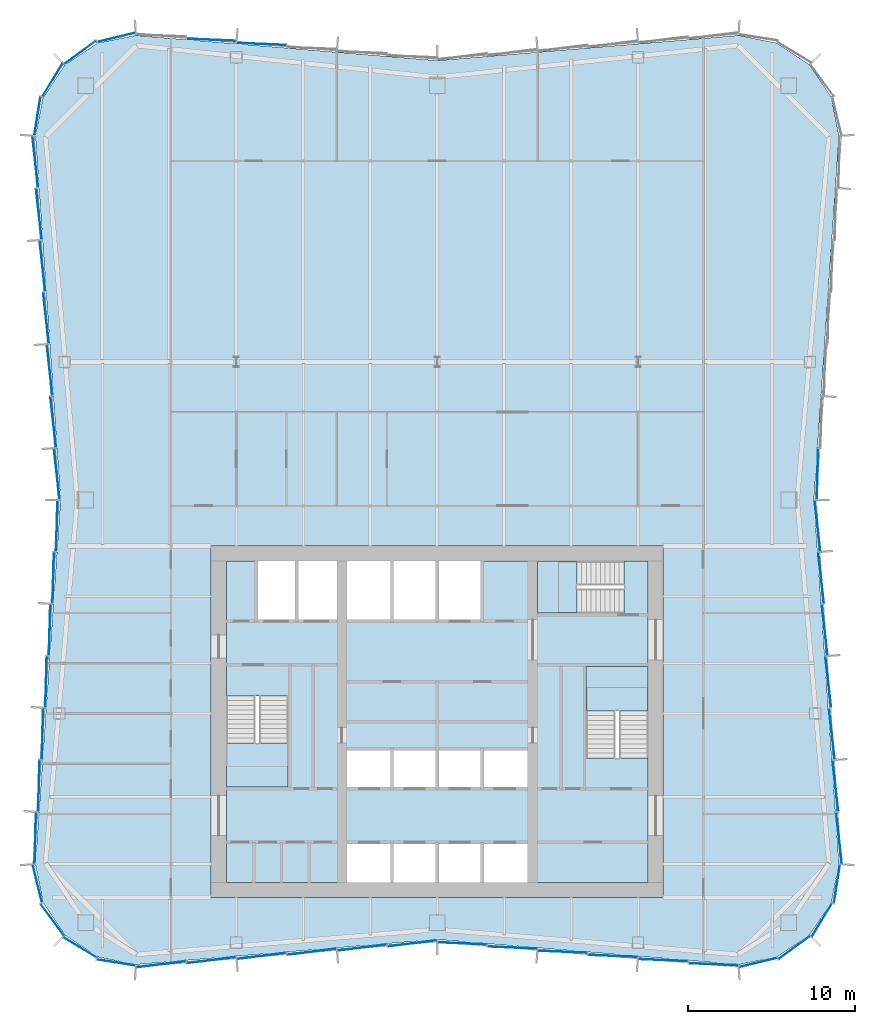
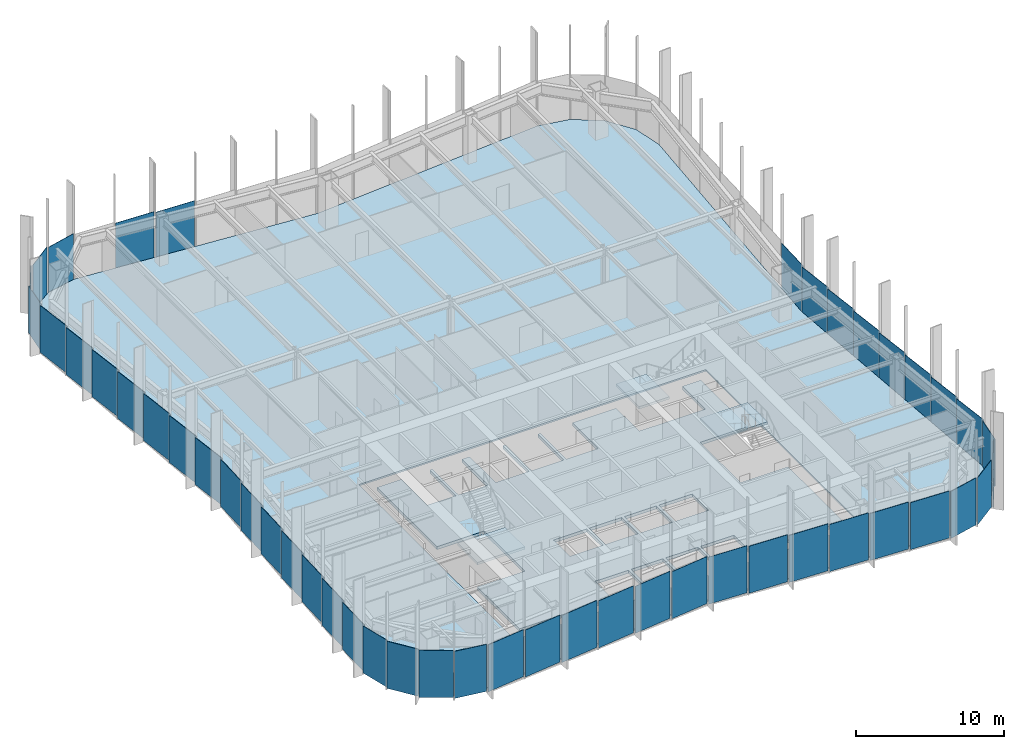
# One storey, part 8 of 13: 48 plates, 5 slabs, 10 elements without a shape of their own.
"""IFC4 building model written with IfcOpenShell, lengths in metres."""

from ifc_helpers import new_model, si_unit, direction, frame, origin, origin_2d, place, context, subcontext, project, spatial, polyline, rectangle, outline, extrude, material, layer, layer_set, type_object, element, aggregate, save


model = new_model("IFC4")

# Units and contexts
model_context = context("Model", 3, precision=1e-05, world=origin(), true_north=direction((0.0, 1.0)))
body_context = subcontext(model_context, "Body", "Model", "MODEL_VIEW")
ifc_project = project(units=[si_unit("LENGTHUNIT", "METRE"), si_unit("AREAUNIT", "SQUARE_METRE"), si_unit("VOLUMEUNIT", "CUBIC_METRE"), si_unit("PLANEANGLEUNIT", "RADIAN"), si_unit("MASSUNIT", "GRAM", prefix="KILO")], contexts=[model_context])

# Site, building, storey
site_placement = place(None, origin())
site = spatial("IfcSite", under=ifc_project, at=site_placement, CompositionType="ELEMENT")
building_placement = place(site_placement, origin())
building = spatial("IfcBuilding", under=site, at=building_placement, Name="Verdant Reach Tower", CompositionType="ELEMENT")
storey_placement = place(building_placement, frame((0.0, 0.0, 218.0)))
storey = spatial("IfcBuildingStorey", under=building, at=storey_placement, Name="L50", CompositionType="ELEMENT", Elevation=218.0)

# Stair, slab
ifc_material_1 = material(Name="Concrete C40/50", Category="concrete")
stair_type = type_object("IfcStairType", Name="CO-STAIR", PredefinedType="HALF_TURN_STAIR", material=ifc_material_1)
stair_1_placement = place(storey_placement, origin())
stair_1 = element("IfcStair", 1, at=stair_1_placement, inside=storey, type_object=stair_type, Name="L50 Exit stair 1", PredefinedType="HALF_TURN_STAIR")
ifc_layer_1 = layer(ifc_material_1, 0.199951171875)
ifc_layer_set_1 = layer_set([ifc_layer_1], Name="CO-STAIR-LANDING")
slab_type_1 = type_object("IfcSlabType", Name="CO-STAIR-LANDING", PredefinedType="LANDING", material=ifc_layer_set_1)
slab_1_placement = place(storey_placement, frame((0.0, 0.0, 1.800048828125)))
slab_1 = element("IfcSlab", 2, at=slab_1_placement, type_object=slab_type_1, Name="ST-1 landing 1", PredefinedType="LANDING", context=body_context, shape_type="SweptSolid", body=[
    extrude(outline(polyline([(-12.60009765625, 26.75), (-12.60009765625, 24.10009765625), (-8.89990234375, 24.10009765625), (-8.89990234375, 26.75), (-12.60009765625, 26.75)])), origin(), (0.0, 0.0, 1.0), 0.199951171875),
])
aggregate(stair_1, [slab_1])

stair_2_placement = place(storey_placement, origin())
stair_2 = element("IfcStair", 3, at=stair_2_placement, inside=storey, type_object=stair_type, Name="L50 Exit stair 2", PredefinedType="HALF_TURN_STAIR")
slab_2_placement = place(storey_placement, frame((0.0, 0.0, 1.800048828125)))
slab_2 = element("IfcSlab", 4, at=slab_2_placement, type_object=slab_type_1, Name="ST-2 landing 1", PredefinedType="LANDING", context=body_context, shape_type="SweptSolid", body=[
    extrude(outline(polyline([(12.60009765625, 28.64990234375), (12.60009765625, 31.300048828125), (8.89990234375, 31.300048828125), (8.89990234375, 28.64990234375), (12.60009765625, 28.64990234375)])), origin(), (0.0, 0.0, 1.0), 0.199951171875),
])
aggregate(stair_2, [slab_2])

stair_3_placement = place(storey_placement, origin())
stair_3 = element("IfcStair", 5, at=stair_3_placement, inside=storey, type_object=stair_type, Name="L50 Exit stair 3", PredefinedType="HALF_TURN_STAIR")
slab_3_placement = place(storey_placement, frame((0.0, 0.0, 1.800048828125)))
slab_3 = element("IfcSlab", 6, at=slab_3_placement, type_object=slab_type_1, Name="ST-3 landing 1", PredefinedType="LANDING", context=body_context, shape_type="SweptSolid", body=[
    extrude(outline(polyline([(8.35009765625, 37.60009765625), (6.0, 37.60009765625), (6.0, 34.5), (8.35009765625, 34.5), (8.35009765625, 37.60009765625)])), origin(), (0.0, 0.0, 1.0), 0.199951171875),
])
aggregate(stair_3, [slab_3])

# Curtain wall, plates
ifc_material_2 = material(Name="Anodised aluminium", Category="aluminium")
curtain_wall_type = type_object("IfcCurtainWallType", Name="EN-CW SYSTEM Z3", PredefinedType="NOTDEFINED", material=ifc_material_2)
curtain_wall_1_placement = place(storey_placement, origin())
curtain_wall_1 = element("IfcCurtainWall", 7, at=curtain_wall_1_placement, inside=storey, type_object=curtain_wall_type, Name="Curtain wall east, L50", PredefinedType="NOTDEFINED")
ifc_material_3 = material(Name="Tinted glass with champagne spandrel", Category="glass")
ifc_layer_2 = layer(ifc_material_3, 0.031982421875)
ifc_layer_set_2 = layer_set([ifc_layer_2], Name="EN-PANEL CHAMPAGNE")
plate_type_1 = type_object("IfcPlateType", Name="EN-PANEL CHAMPAGNE", PredefinedType="CURTAIN_PANEL", material=ifc_layer_set_2)
plate_1_placement = place(storey_placement, frame((23.14453125, 33.48974609375, -0.22412109375), z_axis=(0.0, 0.0, 1.0), x_axis=(-0.110518162674, 0.993874104562, 0.0)))
plate_1 = element("IfcPlate", 8, at=plate_1_placement, type_object=plate_type_1, Name="Glass panel east face part 1 5.1, L50", PredefinedType="CURTAIN_PANEL", context=body_context, shape_type="SweptSolid", body=[
    extrude(rectangle(XDim=3.052490234375, YDim=0.031982421875, at=origin_2d()), origin(), (0.0, 0.0, 1.0), 3.8740234375),
])
plate_2_placement = place(storey_placement, frame((22.93017578125, 36.5966796875, -0.22412109375), z_axis=(0.0, 0.0, 1.0), x_axis=(-0.110518162674, 0.993874104562, 0.0)))
plate_2 = element("IfcPlate", 9, at=plate_2_placement, type_object=plate_type_1, Name="Glass panel east face part 1 6.1, L50", PredefinedType="CURTAIN_PANEL", context=body_context, shape_type="SweptSolid", body=[
    extrude(rectangle(XDim=3.052490234375, YDim=0.031982421875, at=origin_2d()), origin(), (0.0, 0.0, 1.0), 3.8740234375),
])

curtain_wall_2_placement = place(storey_placement, origin())
curtain_wall_2 = element("IfcCurtainWall", 10, at=curtain_wall_2_placement, inside=storey, type_object=curtain_wall_type, Name="Curtain wall north, L50", PredefinedType="NOTDEFINED")
plate_3_placement = place(storey_placement, frame((-10.490966796875, 68.483642578125, -0.22412109375), z_axis=(0.0, 0.0, 1.0), x_axis=(-0.999149202059, 0.041241629766, 0.0)))
plate_3 = element("IfcPlate", 11, at=plate_3_placement, type_object=plate_type_1, Name="Glass panel north face part 2 4.1, L50", PredefinedType="CURTAIN_PANEL", context=body_context, shape_type="SweptSolid", body=[
    extrude(rectangle(XDim=2.948486328125, YDim=0.031982421875, at=origin_2d()), origin(), (0.0, 0.0, 1.0), 3.8740234375),
])
plate_4_placement = place(storey_placement, frame((-13.490966796875, 68.733642578125, -0.22412109375), z_axis=(0.0, 0.0, 1.0), x_axis=(-0.999149202059, 0.041241629766, 0.0)))
plate_4 = element("IfcPlate", 12, at=plate_4_placement, type_object=plate_type_1, Name="Glass panel north face part 2 5.1, L50", PredefinedType="CURTAIN_PANEL", context=body_context, shape_type="SweptSolid", body=[
    extrude(rectangle(XDim=2.948486328125, YDim=0.031982421875, at=origin_2d()), origin(), (0.0, 0.0, 1.0), 3.8740234375),
])
aggregate(curtain_wall_2, [plate_3, plate_4])

curtain_wall_3_placement = place(storey_placement, origin())
curtain_wall_3 = element("IfcCurtainWall", 13, at=curtain_wall_3_placement, inside=storey, type_object=curtain_wall_type, Name="Curtain wall north-west corner, L50", PredefinedType="NOTDEFINED")
plate_5_placement = place(storey_placement, frame((-22.98193359375, 66.328857421875, -0.22412109375), z_axis=(0.0, 0.0, 1.0), x_axis=(-0.520291550457, -0.853988701636, 0.0)))
plate_5 = element("IfcPlate", 14, at=plate_5_placement, type_object=plate_type_1, Name="Glass panel north-west corner 3.1, L50", PredefinedType="CURTAIN_PANEL", context=body_context, shape_type="SweptSolid", body=[
    extrude(rectangle(XDim=2.321533203125, YDim=0.031982421875, at=origin_2d()), origin(), (0.0, 0.0, 1.0), 3.8740234375),
])
plate_6_placement = place(storey_placement, frame((-23.87646484375, 64.17236328125, -0.22412109375), z_axis=(0.0, 0.0, 1.0), x_axis=(-0.154311870796, -0.988022189291, 0.0)))
plate_6 = element("IfcPlate", 15, at=plate_6_placement, type_object=plate_type_1, Name="Glass panel north-west corner 4.1, L50", PredefinedType="CURTAIN_PANEL", context=body_context, shape_type="SweptSolid", body=[
    extrude(rectangle(XDim=2.314697265625, YDim=0.031982421875, at=origin_2d()), origin(), (0.0, 0.0, 1.0), 3.8740234375),
])

curtain_wall_4_placement = place(storey_placement, origin())
curtain_wall_4 = element("IfcCurtainWall", 16, at=curtain_wall_4_placement, inside=storey, type_object=curtain_wall_type, Name="Curtain wall west, L50", PredefinedType="NOTDEFINED")
plate_7_placement = place(storey_placement, frame((-24.001708984375, 61.446044921875, -0.22412109375), z_axis=(0.0, 0.0, 1.0), x_axis=(0.110214229533, -0.993907854687, 0.0)))
plate_7 = element("IfcPlate", 17, at=plate_7_placement, type_object=plate_type_1, Name="Glass panel west face part 1 1.1, L50", PredefinedType="CURTAIN_PANEL", context=body_context, shape_type="SweptSolid", body=[
    extrude(rectangle(XDim=3.06689453125, YDim=0.031982421875, at=origin_2d()), origin(), (0.0, 0.0, 1.0), 3.8740234375),
])
plate_8_placement = place(storey_placement, frame((-23.787353515625, 58.331787109375, -0.22412109375), z_axis=(0.0, 0.0, 1.0), x_axis=(0.110518162674, -0.993874104562, 0.0)))
plate_8 = element("IfcPlate", 18, at=plate_8_placement, type_object=plate_type_1, Name="Glass panel west face part 1 2.1, L50", PredefinedType="CURTAIN_PANEL", context=body_context, shape_type="SweptSolid", body=[
    extrude(rectangle(XDim=3.052490234375, YDim=0.031982421875, at=origin_2d()), origin(), (0.0, 0.0, 1.0), 3.8740234375),
])
plate_9_placement = place(storey_placement, frame((-23.572998046875, 55.224609375, -0.22412109375), z_axis=(0.0, 0.0, 1.0), x_axis=(0.110518162674, -0.993874104562, 0.0)))
plate_9 = element("IfcPlate", 19, at=plate_9_placement, type_object=plate_type_1, Name="Glass panel west face part 1 3.1, L50", PredefinedType="CURTAIN_PANEL", context=body_context, shape_type="SweptSolid", body=[
    extrude(rectangle(XDim=3.052490234375, YDim=0.031982421875, at=origin_2d()), origin(), (0.0, 0.0, 1.0), 3.8740234375),
])
plate_10_placement = place(storey_placement, frame((-23.14453125, 33.48974609375, -0.22412109375), z_axis=(0.0, 0.0, 1.0), x_axis=(-0.026965318308, -0.999636369691, 0.0)))
plate_10 = element("IfcPlate", 20, at=plate_10_placement, type_object=plate_type_1, Name="Glass panel west face part 2 3.1, L50", PredefinedType="CURTAIN_PANEL", context=body_context, shape_type="SweptSolid", body=[
    extrude(rectangle(XDim=3.052490234375, YDim=0.031982421875, at=origin_2d()), origin(), (0.0, 0.0, 1.0), 3.8740234375),
])
plate_11_placement = place(storey_placement, frame((-23.358642578125, 30.382568359375, -0.22412109375), z_axis=(0.0, 0.0, 1.0), x_axis=(-0.026965318308, -0.999636369691, 0.0)))
plate_11 = element("IfcPlate", 21, at=plate_11_placement, type_object=plate_type_1, Name="Glass panel west face part 2 4.1, L50", PredefinedType="CURTAIN_PANEL", context=body_context, shape_type="SweptSolid", body=[
    extrude(rectangle(XDim=3.052490234375, YDim=0.031982421875, at=origin_2d()), origin(), (0.0, 0.0, 1.0), 3.8740234375),
])

curtain_wall_5_placement = place(storey_placement, origin())
curtain_wall_5 = element("IfcCurtainWall", 22, at=curtain_wall_5_placement, inside=storey, type_object=curtain_wall_type, Name="Curtain wall south-west corner, L50", PredefinedType="NOTDEFINED")
plate_12_placement = place(storey_placement, frame((-23.87646484375, 18.32763671875, -0.22412109375), z_axis=(0.0, 0.0, 1.0), x_axis=(0.23644624331, -0.97164457186, 0.0)))
plate_12 = element("IfcPlate", 23, at=plate_12_placement, type_object=plate_type_1, Name="Glass panel south-west corner 1.1, L50", PredefinedType="CURTAIN_PANEL", context=body_context, shape_type="SweptSolid", body=[
    extrude(rectangle(XDim=2.314697265625, YDim=0.031982421875, at=origin_2d()), origin(), (0.0, 0.0, 1.0), 3.8740234375),
])
plate_13_placement = place(storey_placement, frame((-22.98193359375, 16.171142578125, -0.22412109375), z_axis=(0.0, 0.0, 1.0), x_axis=(0.589926747542, -0.807456768214, 0.0)))
plate_13 = element("IfcPlate", 24, at=plate_13_placement, type_object=plate_type_1, Name="Glass panel south-west corner 2.1, L50", PredefinedType="CURTAIN_PANEL", context=body_context, shape_type="SweptSolid", body=[
    extrude(rectangle(XDim=2.321533203125, YDim=0.031982421875, at=origin_2d()), origin(), (0.0, 0.0, 1.0), 3.8740234375),
])
plate_14_placement = place(storey_placement, frame((-21.328857421875, 14.51806640625, -0.22412109375), z_axis=(0.0, 0.0, 1.0), x_axis=(0.853988701636, -0.520291550457, 0.0)))
plate_14 = element("IfcPlate", 25, at=plate_14_placement, type_object=plate_type_1, Name="Glass panel south-west corner 3.1, L50", PredefinedType="CURTAIN_PANEL", context=body_context, shape_type="SweptSolid", body=[
    extrude(rectangle(XDim=2.321533203125, YDim=0.031982421875, at=origin_2d()), origin(), (0.0, 0.0, 1.0), 3.8740234375),
])

curtain_wall_6_placement = place(storey_placement, origin())
curtain_wall_6 = element("IfcCurtainWall", 26, at=curtain_wall_6_placement, inside=storey, type_object=curtain_wall_type, Name="Curtain wall south, L50", PredefinedType="NOTDEFINED")
plate_15_placement = place(storey_placement, frame((-1.495361328125, 14.76611328125, -0.22412109375), z_axis=(0.0, 0.0, 1.0), x_axis=(0.992178382939, 0.124828107529, 0.0)))
plate_15 = element("IfcPlate", 27, at=plate_15_placement, type_object=plate_type_1, Name="Glass panel south face part 1 6.1, L50", PredefinedType="CURTAIN_PANEL", context=body_context, shape_type="SweptSolid", body=[
    extrude(rectangle(XDim=2.939453125, YDim=0.031982421875, at=origin_2d()), origin(), (0.0, 0.0, 1.0), 3.8740234375),
])
plate_16_placement = place(storey_placement, frame((1.495361328125, 14.76611328125, -0.22412109375), z_axis=(0.0, 0.0, 1.0), x_axis=(0.999144020525, -0.041366970501, 0.0)))
plate_16 = element("IfcPlate", 28, at=plate_16_placement, type_object=plate_type_1, Name="Glass panel south face part 2 1.1, L50", PredefinedType="CURTAIN_PANEL", context=body_context, shape_type="SweptSolid", body=[
    extrude(rectangle(XDim=2.939453125, YDim=0.031982421875, at=origin_2d()), origin(), (0.0, 0.0, 1.0), 3.8740234375),
])
plate_17_placement = place(storey_placement, frame((4.490966796875, 14.516357421875, -0.22412109375), z_axis=(0.0, 0.0, 1.0), x_axis=(0.999149202059, -0.041241629766, 0.0)))
plate_17 = element("IfcPlate", 29, at=plate_17_placement, type_object=plate_type_1, Name="Glass panel south face part 2 2.1, L50", PredefinedType="CURTAIN_PANEL", context=body_context, shape_type="SweptSolid", body=[
    extrude(rectangle(XDim=2.948486328125, YDim=0.031982421875, at=origin_2d()), origin(), (0.0, 0.0, 1.0), 3.8740234375),
])

curtain_wall_7_placement = place(storey_placement, origin())
curtain_wall_7 = element("IfcCurtainWall", 30, at=curtain_wall_7_placement, inside=storey, type_object=curtain_wall_type, Name="Curtain wall south-east corner, L50", PredefinedType="NOTDEFINED")
ifc_material_4 = material(Name="Tinted glass with copper spandrel", Category="glass")
ifc_layer_3 = layer(ifc_material_4, 0.031982421875)
ifc_layer_set_3 = layer_set([ifc_layer_3], Name="EN-PANEL COPPER")
plate_type_2 = type_object("IfcPlateType", Name="EN-PANEL COPPER", PredefinedType="CURTAIN_PANEL", material=ifc_layer_set_3)
plate_18_placement = place(storey_placement, frame((19.171875, 13.62353515625, -0.22412109375), z_axis=(0.0, 0.0, 1.0), x_axis=(0.971655117833, 0.236402901821, 0.0)))
plate_18 = element("IfcPlate", 31, at=plate_18_placement, type_object=plate_type_2, Name="Glass panel south-east corner 1.1, L50", PredefinedType="CURTAIN_PANEL", context=body_context, shape_type="SweptSolid", body=[
    extrude(rectangle(XDim=2.3154296875, YDim=0.031982421875, at=origin_2d()), origin(), (0.0, 0.0, 1.0), 3.8740234375),
])
plate_19_placement = place(storey_placement, frame((21.328857421875, 14.51806640625, -0.22412109375), z_axis=(0.0, 0.0, 1.0), x_axis=(0.807456768214, 0.589926747542, 0.0)))
plate_19 = element("IfcPlate", 32, at=plate_19_placement, type_object=plate_type_2, Name="Glass panel south-east corner 2.1, L50", PredefinedType="CURTAIN_PANEL", context=body_context, shape_type="SweptSolid", body=[
    extrude(rectangle(XDim=2.321533203125, YDim=0.031982421875, at=origin_2d()), origin(), (0.0, 0.0, 1.0), 3.8740234375),
])
plate_20_placement = place(storey_placement, frame((22.98193359375, 16.171142578125, -0.22412109375), z_axis=(0.0, 0.0, 1.0), x_axis=(0.520291550457, 0.853988701636, 0.0)))
plate_20 = element("IfcPlate", 33, at=plate_20_placement, type_object=plate_type_2, Name="Glass panel south-east corner 3.1, L50", PredefinedType="CURTAIN_PANEL", context=body_context, shape_type="SweptSolid", body=[
    extrude(rectangle(XDim=2.321533203125, YDim=0.031982421875, at=origin_2d()), origin(), (0.0, 0.0, 1.0), 3.8740234375),
])

# Plate
plate_21_placement = place(storey_placement, frame((24.001708984375, 21.053955078125, -0.22412109375), z_axis=(0.0, 0.0, 1.0), x_axis=(-0.110214229533, 0.993907854687, 0.0)))
plate_21 = element("IfcPlate", 34, at=plate_21_placement, type_object=plate_type_2, Name="Glass panel east face part 1 1.1, L50", PredefinedType="CURTAIN_PANEL", context=body_context, shape_type="SweptSolid", body=[
    extrude(rectangle(XDim=3.06689453125, YDim=0.031982421875, at=origin_2d()), origin(), (0.0, 0.0, 1.0), 3.8740234375),
])

plate_22_placement = place(storey_placement, frame((22.716064453125, 39.7001953125, -0.22412109375), z_axis=(0.0, 0.0, 1.0), x_axis=(-0.110600785385, 0.993864913493, 0.0)))
plate_22 = element("IfcPlate", 35, at=plate_22_placement, type_object=plate_type_2, Name="Glass panel east face part 1 7.1, L50", PredefinedType="CURTAIN_PANEL", context=body_context, shape_type="SweptSolid", body=[
    extrude(rectangle(XDim=3.044921875, YDim=0.031982421875, at=origin_2d()), origin(), (0.0, 0.0, 1.0), 3.8740234375),
])

plate_23_placement = place(storey_placement, frame((22.716064453125, 42.7998046875, -0.22412109375), z_axis=(0.0, 0.0, 1.0), x_axis=(0.027048420339, 0.999634124546, 0.0)))
plate_23 = element("IfcPlate", 36, at=plate_23_placement, type_object=plate_type_2, Name="Glass panel east face part 2 1.1, L50", PredefinedType="CURTAIN_PANEL", context=body_context, shape_type="SweptSolid", body=[
    extrude(rectangle(XDim=3.044921875, YDim=0.031982421875, at=origin_2d()), origin(), (0.0, 0.0, 1.0), 3.8740234375),
])

plate_24_placement = place(storey_placement, frame((-23.358642578125, 52.117431640625, -0.22412109375), z_axis=(0.0, 0.0, 1.0), x_axis=(0.110518162674, -0.993874104562, 0.0)))
plate_24 = element("IfcPlate", 37, at=plate_24_placement, type_object=plate_type_2, Name="Glass panel west face part 1 4.1, L50", PredefinedType="CURTAIN_PANEL", context=body_context, shape_type="SweptSolid", body=[
    extrude(rectangle(XDim=3.052490234375, YDim=0.031982421875, at=origin_2d()), origin(), (0.0, 0.0, 1.0), 3.8740234375),
])

plate_25_placement = place(storey_placement, frame((-23.14453125, 49.01025390625, -0.22412109375), z_axis=(0.0, 0.0, 1.0), x_axis=(0.110518162674, -0.993874104562, 0.0)))
plate_25 = element("IfcPlate", 38, at=plate_25_placement, type_object=plate_type_2, Name="Glass panel west face part 1 5.1, L50", PredefinedType="CURTAIN_PANEL", context=body_context, shape_type="SweptSolid", body=[
    extrude(rectangle(XDim=3.052490234375, YDim=0.031982421875, at=origin_2d()), origin(), (0.0, 0.0, 1.0), 3.8740234375),
])

plate_26_placement = place(storey_placement, frame((-23.572998046875, 27.275390625, -0.22412109375), z_axis=(0.0, 0.0, 1.0), x_axis=(-0.026965318308, -0.999636369691, 0.0)))
plate_26 = element("IfcPlate", 39, at=plate_26_placement, type_object=plate_type_2, Name="Glass panel west face part 2 5.1, L50", PredefinedType="CURTAIN_PANEL", context=body_context, shape_type="SweptSolid", body=[
    extrude(rectangle(XDim=3.052490234375, YDim=0.031982421875, at=origin_2d()), origin(), (0.0, 0.0, 1.0), 3.8740234375),
])

plate_27_placement = place(storey_placement, frame((-23.787353515625, 24.168212890625, -0.22412109375), z_axis=(0.0, 0.0, 1.0), x_axis=(-0.026965318308, -0.999636369691, 0.0)))
plate_27 = element("IfcPlate", 40, at=plate_27_placement, type_object=plate_type_2, Name="Glass panel west face part 2 6.1, L50", PredefinedType="CURTAIN_PANEL", context=body_context, shape_type="SweptSolid", body=[
    extrude(rectangle(XDim=3.052490234375, YDim=0.031982421875, at=origin_2d()), origin(), (0.0, 0.0, 1.0), 3.8740234375),
])

plate_28_placement = place(storey_placement, frame((-24.001708984375, 21.053955078125, -0.22412109375), z_axis=(0.0, 0.0, 1.0), x_axis=(-0.026659626966, -0.999644568979, 0.0)))
plate_28 = element("IfcPlate", 41, at=plate_28_placement, type_object=plate_type_2, Name="Glass panel west face part 2 7.1, L50", PredefinedType="CURTAIN_PANEL", context=body_context, shape_type="SweptSolid", body=[
    extrude(rectangle(XDim=3.06689453125, YDim=0.031982421875, at=origin_2d()), origin(), (0.0, 0.0, 1.0), 3.8740234375),
])

plate_29_placement = place(storey_placement, frame((-19.171875, 13.62353515625, -0.22412109375), z_axis=(0.0, 0.0, 1.0), x_axis=(0.988029071555, -0.154267798848, 0.0)))
plate_29 = element("IfcPlate", 42, at=plate_29_placement, type_object=plate_type_2, Name="Glass panel south-west corner 4.1, L50", PredefinedType="CURTAIN_PANEL", context=body_context, shape_type="SweptSolid", body=[
    extrude(rectangle(XDim=2.3154296875, YDim=0.031982421875, at=origin_2d()), origin(), (0.0, 0.0, 1.0), 3.8740234375),
])

aggregate(curtain_wall_5, [plate_12, plate_13, plate_14, plate_29])

plate_30_placement = place(storey_placement, frame((-16.49853515625, 13.516357421875, -0.22412109375), z_axis=(0.0, 0.0, 1.0), x_axis=(0.992237766434, 0.124355196363, 0.0)))
plate_30 = element("IfcPlate", 43, at=plate_30_placement, type_object=plate_type_2, Name="Glass panel south face part 1 1.1, L50", PredefinedType="CURTAIN_PANEL", context=body_context, shape_type="SweptSolid", body=[
    extrude(rectangle(XDim=2.963623046875, YDim=0.031982421875, at=origin_2d()), origin(), (0.0, 0.0, 1.0), 3.8740234375),
])

plate_31_placement = place(storey_placement, frame((-13.490966796875, 13.766357421875, -0.22412109375), z_axis=(0.0, 0.0, 1.0), x_axis=(0.992194034542, 0.124703639961, 0.0)))
plate_31 = element("IfcPlate", 44, at=plate_31_placement, type_object=plate_type_2, Name="Glass panel south face part 1 2.1, L50", PredefinedType="CURTAIN_PANEL", context=body_context, shape_type="SweptSolid", body=[
    extrude(rectangle(XDim=2.948486328125, YDim=0.031982421875, at=origin_2d()), origin(), (0.0, 0.0, 1.0), 3.8740234375),
])

plate_32_placement = place(storey_placement, frame((-10.490966796875, 14.016357421875, -0.22412109375), z_axis=(0.0, 0.0, 1.0), x_axis=(0.992194034542, 0.124703639961, 0.0)))
plate_32 = element("IfcPlate", 45, at=plate_32_placement, type_object=plate_type_2, Name="Glass panel south face part 1 3.1, L50", PredefinedType="CURTAIN_PANEL", context=body_context, shape_type="SweptSolid", body=[
    extrude(rectangle(XDim=2.948486328125, YDim=0.031982421875, at=origin_2d()), origin(), (0.0, 0.0, 1.0), 3.8740234375),
])

plate_33_placement = place(storey_placement, frame((7.490966796875, 14.266357421875, -0.22412109375), z_axis=(0.0, 0.0, 1.0), x_axis=(0.999149202059, -0.041241629766, 0.0)))
plate_33 = element("IfcPlate", 46, at=plate_33_placement, type_object=plate_type_2, Name="Glass panel south face part 2 3.1, L50", PredefinedType="CURTAIN_PANEL", context=body_context, shape_type="SweptSolid", body=[
    extrude(rectangle(XDim=2.948486328125, YDim=0.031982421875, at=origin_2d()), origin(), (0.0, 0.0, 1.0), 3.8740234375),
])

plate_34_placement = place(storey_placement, frame((10.490966796875, 14.016357421875, -0.22412109375), z_axis=(0.0, 0.0, 1.0), x_axis=(0.999149202059, -0.041241629766, 0.0)))
plate_34 = element("IfcPlate", 47, at=plate_34_placement, type_object=plate_type_2, Name="Glass panel south face part 2 4.1, L50", PredefinedType="CURTAIN_PANEL", context=body_context, shape_type="SweptSolid", body=[
    extrude(rectangle(XDim=2.948486328125, YDim=0.031982421875, at=origin_2d()), origin(), (0.0, 0.0, 1.0), 3.8740234375),
])

ifc_material_5 = material(Name="Tinted glass with dark bronze spandrel", Category="glass")
ifc_layer_4 = layer(ifc_material_5, 0.031982421875)
ifc_layer_set_4 = layer_set([ifc_layer_4], Name="EN-PANEL DARK")
plate_type_3 = type_object("IfcPlateType", Name="EN-PANEL DARK", PredefinedType="CURTAIN_PANEL", material=ifc_layer_set_4)
plate_35_placement = place(storey_placement, frame((23.87646484375, 18.32763671875, -0.22412109375), z_axis=(0.0, 0.0, 1.0), x_axis=(0.154311870796, 0.988022189291, 0.0)))
plate_35 = element("IfcPlate", 48, at=plate_35_placement, type_object=plate_type_3, Name="Glass panel south-east corner 4.1, L50", PredefinedType="CURTAIN_PANEL", context=body_context, shape_type="SweptSolid", body=[
    extrude(rectangle(XDim=2.314697265625, YDim=0.031982421875, at=origin_2d()), origin(), (0.0, 0.0, 1.0), 3.8740234375),
])

aggregate(curtain_wall_7, [plate_18, plate_19, plate_20, plate_35])

plate_36_placement = place(storey_placement, frame((23.787353515625, 24.168212890625, -0.22412109375), z_axis=(0.0, 0.0, 1.0), x_axis=(-0.110518162674, 0.993874104562, 0.0)))
plate_36 = element("IfcPlate", 49, at=plate_36_placement, type_object=plate_type_3, Name="Glass panel east face part 1 2.1, L50", PredefinedType="CURTAIN_PANEL", context=body_context, shape_type="SweptSolid", body=[
    extrude(rectangle(XDim=3.052490234375, YDim=0.031982421875, at=origin_2d()), origin(), (0.0, 0.0, 1.0), 3.8740234375),
])

plate_37_placement = place(storey_placement, frame((23.572998046875, 27.275390625, -0.22412109375), z_axis=(0.0, 0.0, 1.0), x_axis=(-0.110518162674, 0.993874104562, 0.0)))
plate_37 = element("IfcPlate", 50, at=plate_37_placement, type_object=plate_type_3, Name="Glass panel east face part 1 3.1, L50", PredefinedType="CURTAIN_PANEL", context=body_context, shape_type="SweptSolid", body=[
    extrude(rectangle(XDim=3.052490234375, YDim=0.031982421875, at=origin_2d()), origin(), (0.0, 0.0, 1.0), 3.8740234375),
])

plate_38_placement = place(storey_placement, frame((23.358642578125, 30.382568359375, -0.22412109375), z_axis=(0.0, 0.0, 1.0), x_axis=(-0.110518162674, 0.993874104562, 0.0)))
plate_38 = element("IfcPlate", 51, at=plate_38_placement, type_object=plate_type_3, Name="Glass panel east face part 1 4.1, L50", PredefinedType="CURTAIN_PANEL", context=body_context, shape_type="SweptSolid", body=[
    extrude(rectangle(XDim=3.052490234375, YDim=0.031982421875, at=origin_2d()), origin(), (0.0, 0.0, 1.0), 3.8740234375),
])

aggregate(curtain_wall_1, [plate_21, plate_36, plate_37, plate_38, plate_1, plate_2, plate_22, plate_23])

plate_39_placement = place(storey_placement, frame((-19.171875, 68.87646484375, -0.22412109375), z_axis=(0.0, 0.0, 1.0), x_axis=(-0.971655117833, -0.236402901821, 0.0)))
plate_39 = element("IfcPlate", 52, at=plate_39_placement, type_object=plate_type_3, Name="Glass panel north-west corner 1.1, L50", PredefinedType="CURTAIN_PANEL", context=body_context, shape_type="SweptSolid", body=[
    extrude(rectangle(XDim=2.3154296875, YDim=0.031982421875, at=origin_2d()), origin(), (0.0, 0.0, 1.0), 3.8740234375),
])

plate_40_placement = place(storey_placement, frame((-21.328857421875, 67.98193359375, -0.22412109375), z_axis=(0.0, 0.0, 1.0), x_axis=(-0.807456768214, -0.589926747542, 0.0)))
plate_40 = element("IfcPlate", 53, at=plate_40_placement, type_object=plate_type_3, Name="Glass panel north-west corner 2.1, L50", PredefinedType="CURTAIN_PANEL", context=body_context, shape_type="SweptSolid", body=[
    extrude(rectangle(XDim=2.321533203125, YDim=0.031982421875, at=origin_2d()), origin(), (0.0, 0.0, 1.0), 3.8740234375),
])

aggregate(curtain_wall_3, [plate_39, plate_40, plate_5, plate_6])

plate_41_placement = place(storey_placement, frame((-22.93017578125, 45.9033203125, -0.22412109375), z_axis=(0.0, 0.0, 1.0), x_axis=(0.110518162674, -0.993874104562, 0.0)))
plate_41 = element("IfcPlate", 54, at=plate_41_placement, type_object=plate_type_3, Name="Glass panel west face part 1 6.1, L50", PredefinedType="CURTAIN_PANEL", context=body_context, shape_type="SweptSolid", body=[
    extrude(rectangle(XDim=3.052490234375, YDim=0.031982421875, at=origin_2d()), origin(), (0.0, 0.0, 1.0), 3.8740234375),
])

plate_42_placement = place(storey_placement, frame((-22.716064453125, 42.7998046875, -0.22412109375), z_axis=(0.0, 0.0, 1.0), x_axis=(0.110600785385, -0.993864913493, 0.0)))
plate_42 = element("IfcPlate", 55, at=plate_42_placement, type_object=plate_type_3, Name="Glass panel west face part 1 7.1, L50", PredefinedType="CURTAIN_PANEL", context=body_context, shape_type="SweptSolid", body=[
    extrude(rectangle(XDim=3.044921875, YDim=0.031982421875, at=origin_2d()), origin(), (0.0, 0.0, 1.0), 3.8740234375),
])

plate_43_placement = place(storey_placement, frame((-22.716064453125, 39.7001953125, -0.22412109375), z_axis=(0.0, 0.0, 1.0), x_axis=(-0.027048420339, -0.999634124546, 0.0)))
plate_43 = element("IfcPlate", 56, at=plate_43_placement, type_object=plate_type_3, Name="Glass panel west face part 2 1.1, L50", PredefinedType="CURTAIN_PANEL", context=body_context, shape_type="SweptSolid", body=[
    extrude(rectangle(XDim=3.044921875, YDim=0.031982421875, at=origin_2d()), origin(), (0.0, 0.0, 1.0), 3.8740234375),
])

plate_44_placement = place(storey_placement, frame((-22.93017578125, 36.5966796875, -0.22412109375), z_axis=(0.0, 0.0, 1.0), x_axis=(-0.026965318308, -0.999636369691, 0.0)))
plate_44 = element("IfcPlate", 57, at=plate_44_placement, type_object=plate_type_3, Name="Glass panel west face part 2 2.1, L50", PredefinedType="CURTAIN_PANEL", context=body_context, shape_type="SweptSolid", body=[
    extrude(rectangle(XDim=3.052490234375, YDim=0.031982421875, at=origin_2d()), origin(), (0.0, 0.0, 1.0), 3.8740234375),
])

aggregate(curtain_wall_4, [plate_7, plate_8, plate_9, plate_24, plate_25, plate_41, plate_42, plate_43, plate_44, plate_10, plate_11, plate_26, plate_27, plate_28])

plate_45_placement = place(storey_placement, frame((-7.490966796875, 14.266357421875, -0.22412109375), z_axis=(0.0, 0.0, 1.0), x_axis=(0.992194034542, 0.124703639961, 0.0)))
plate_45 = element("IfcPlate", 58, at=plate_45_placement, type_object=plate_type_3, Name="Glass panel south face part 1 4.1, L50", PredefinedType="CURTAIN_PANEL", context=body_context, shape_type="SweptSolid", body=[
    extrude(rectangle(XDim=2.948486328125, YDim=0.031982421875, at=origin_2d()), origin(), (0.0, 0.0, 1.0), 3.8740234375),
])

plate_46_placement = place(storey_placement, frame((-4.490966796875, 14.516357421875, -0.22412109375), z_axis=(0.0, 0.0, 1.0), x_axis=(0.992194034542, 0.124703639961, 0.0)))
plate_46 = element("IfcPlate", 59, at=plate_46_placement, type_object=plate_type_3, Name="Glass panel south face part 1 5.1, L50", PredefinedType="CURTAIN_PANEL", context=body_context, shape_type="SweptSolid", body=[
    extrude(rectangle(XDim=2.948486328125, YDim=0.031982421875, at=origin_2d()), origin(), (0.0, 0.0, 1.0), 3.8740234375),
])

plate_47_placement = place(storey_placement, frame((13.490966796875, 13.766357421875, -0.22412109375), z_axis=(0.0, 0.0, 1.0), x_axis=(0.999149202059, -0.041241629766, 0.0)))
plate_47 = element("IfcPlate", 60, at=plate_47_placement, type_object=plate_type_3, Name="Glass panel south face part 2 5.1, L50", PredefinedType="CURTAIN_PANEL", context=body_context, shape_type="SweptSolid", body=[
    extrude(rectangle(XDim=2.948486328125, YDim=0.031982421875, at=origin_2d()), origin(), (0.0, 0.0, 1.0), 3.8740234375),
])

plate_48_placement = place(storey_placement, frame((16.49853515625, 13.516357421875, -0.22412109375), z_axis=(0.0, 0.0, 1.0), x_axis=(0.999163623568, -0.040890748818, 0.0)))
plate_48 = element("IfcPlate", 61, at=plate_48_placement, type_object=plate_type_3, Name="Glass panel south face part 2 6.1, L50", PredefinedType="CURTAIN_PANEL", context=body_context, shape_type="SweptSolid", body=[
    extrude(rectangle(XDim=2.963623046875, YDim=0.031982421875, at=origin_2d()), origin(), (0.0, 0.0, 1.0), 3.8740234375),
])

aggregate(curtain_wall_6, [plate_30, plate_31, plate_32, plate_45, plate_46, plate_15, plate_16, plate_17, plate_33, plate_34, plate_47, plate_48])

# Slabs
ifc_material_6 = material(Name="Concrete C35/45", Category="concrete")
ifc_layer_5 = layer(ifc_material_6, 0.1298828125)
ifc_layer_set_5 = layer_set([ifc_layer_5], Name="ST-SLAB-130")
slab_type_2 = type_object("IfcSlabType", Name="ST-SLAB-130", PredefinedType="FLOOR", material=ifc_layer_set_5)
slab_4_placement = place(storey_placement, frame((0.0, 0.0, -0.1298828125)))
element("IfcSlab", 62, at=slab_4_placement, inside=storey, type_object=slab_type_2, Name="Floor slab L50", PredefinedType="FLOOR", context=body_context, shape_type="SweptSolid", body=[
    extrude(outline(polyline([(0.0, 15.0), (-18.0, 13.5), (-20.296142578125, 13.956787109375), (-22.24267578125, 15.25732421875), (-23.543212890625, 17.203857421875), (-24.0, 19.5), (-22.5, 41.25), (-24.0, 63.0), (-23.543212890625, 65.296142578125), (-22.24267578125, 67.24267578125), (-20.296142578125, 68.543212890625), (-18.0, 69.0), (0.0, 67.5), (18.0, 69.0), (20.296142578125, 68.543212890625), (22.24267578125, 67.24267578125), (23.543212890625, 65.296142578125), (24.0, 63.0), (22.5, 41.25), (24.0, 19.5), (23.543212890625, 17.203857421875), (22.24267578125, 15.25732421875), (20.296142578125, 13.956787109375), (18.0, 13.5), (0.0, 15.0)]), holes=[polyline([(13.5, 38.5), (-13.5, 38.5), (-13.5, 17.5), (13.5, 17.5), (13.5, 38.5)])]), origin(), (0.0, 0.0, 1.0), 0.1298828125),
])
ifc_layer_6 = layer(ifc_material_6, 0.25)
ifc_layer_set_6 = layer_set([ifc_layer_6], Name="ST-SLAB-250")
slab_type_3 = type_object("IfcSlabType", Name="ST-SLAB-250", PredefinedType="FLOOR", material=ifc_layer_set_6)
slab_5_placement = place(storey_placement, frame((0.0, 0.0, -0.25)))
element("IfcSlab", 63, at=slab_5_placement, inside=storey, type_object=slab_type_3, Name="Core floor slab L50", PredefinedType="FLOOR", context=body_context, shape_type="SweptSolid", body=[
    extrude(outline(polyline([(12.60009765625, 18.39990234375), (5.39990234375, 18.39990234375), (5.39990234375, 20.699951171875), (2.800048828125, 20.699951171875), (2.800048828125, 18.39990234375), (2.60009765625, 18.39990234375), (2.60009765625, 20.699951171875), (0.10009765625, 20.699951171875), (0.10009765625, 18.39990234375), (-0.10009765625, 18.39990234375), (-0.10009765625, 20.699951171875), (-2.60009765625, 20.699951171875), (-2.60009765625, 18.39990234375), (-2.800048828125, 18.39990234375), (-2.800048828125, 20.699951171875), (-5.39990234375, 20.699951171875), (-5.39990234375, 18.39990234375), (-12.60009765625, 18.39990234375), (-12.60009765625, 24.10009765625), (-8.89990234375, 24.10009765625), (-8.89990234375, 29.548095703125), (-12.60009765625, 29.548095703125), (-12.60009765625, 37.60009765625), (-10.699951171875, 37.60009765625), (-10.699951171875, 34.10009765625), (-8.5, 34.10009765625), (-8.5, 37.60009765625), (-8.300048828125, 37.60009765625), (-8.300048828125, 34.10009765625), (-6.0, 34.10009765625), (-6.0, 37.60009765625), (-5.39990234375, 37.60009765625), (-5.39990234375, 34.10009765625), (-2.800048828125, 34.10009765625), (-2.800048828125, 37.60009765625), (-2.60009765625, 37.60009765625), (-2.60009765625, 34.10009765625), (-0.10009765625, 34.10009765625), (-0.10009765625, 37.60009765625), (0.10009765625, 37.60009765625), (0.10009765625, 34.10009765625), (2.60009765625, 34.10009765625), (2.60009765625, 37.60009765625), (6.0, 37.60009765625), (6.0, 34.5), (11.14794921875, 34.5), (11.14794921875, 37.60009765625), (12.60009765625, 37.60009765625), (12.60009765625, 31.300048828125), (8.89990234375, 31.300048828125), (8.89990234375, 25.85205078125), (12.60009765625, 25.85205078125), (12.60009765625, 18.39990234375)]), holes=[polyline([(-2.800048828125, 24.10009765625), (-2.800048828125, 26.300048828125), (-5.39990234375, 26.300048828125), (-5.39990234375, 24.10009765625), (-2.800048828125, 24.10009765625)]), polyline([(-0.10009765625, 24.10009765625), (-0.10009765625, 26.300048828125), (-2.60009765625, 26.300048828125), (-2.60009765625, 24.10009765625), (-0.10009765625, 24.10009765625)]), polyline([(2.60009765625, 24.10009765625), (2.60009765625, 26.300048828125), (0.10009765625, 26.300048828125), (0.10009765625, 24.10009765625), (2.60009765625, 24.10009765625)]), polyline([(5.39990234375, 24.10009765625), (5.39990234375, 26.300048828125), (2.800048828125, 26.300048828125), (2.800048828125, 24.10009765625), (5.39990234375, 24.10009765625)])]), origin(), (0.0, 0.0, 1.0), 0.25),
])

save(model, "model.ifc")
